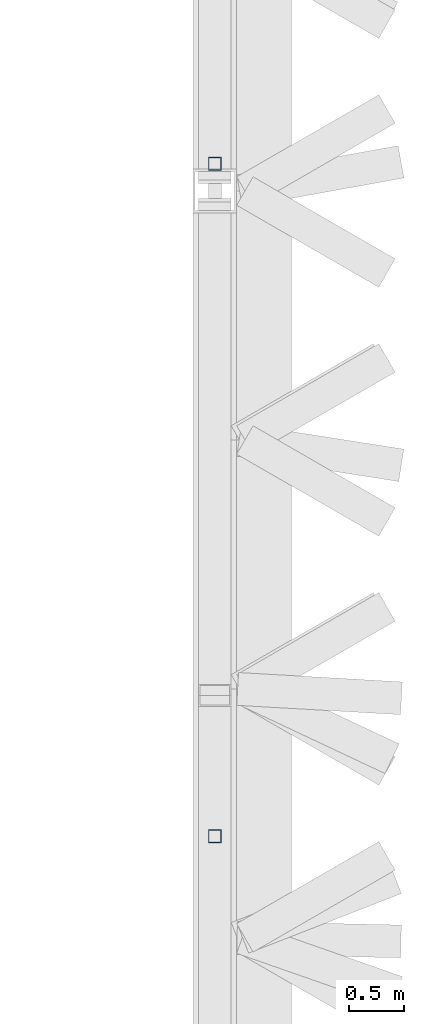
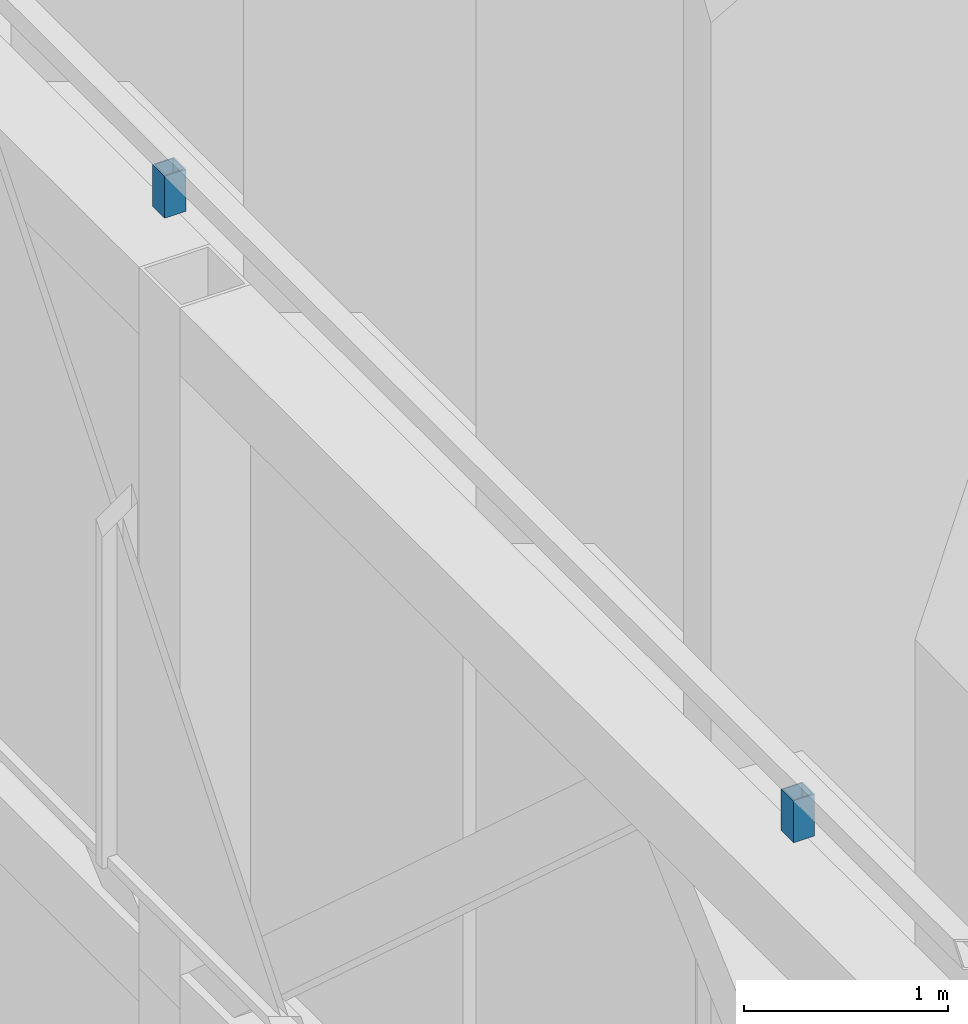
# One storey, part 21 of 45: 2 members.
"""IFC4 building model written with IfcOpenShell, lengths in metres."""

import ifcopenshell
import ifcopenshell.guid

model = None  # the IFC model being written
_history = None  # IfcOwnerHistory: only IFC2X3 demands one
_inside = {}  # id of a spatial element -> (the spatial element, [elements in it])
_under = {}  # id of a project, library or spatial element -> (it, [spatial elements below it])
_declared = {}  # id of a project -> (the project, [libraries it declares])
_typed = {}  # id of a type object -> (the type object, [elements of that type])
_made_of = {}  # id of a material, layer set ... -> (it, [elements and type objects made of it])


def new_model(schema):
    """Start an empty IFC model of exactly this schema.

    Asked for "IFC4X3", IfcOpenShell would pick the latest addendum, in which some entities
    have other attributes; the version numbers below select the first issue.
    IFC2X3 requires an IfcOwnerHistory on every rooted entity: one is made here for all.
    """
    global model, _history
    if schema == "IFC4X3":
        model = ifcopenshell.file(schema_version=(4, 3, 0, 0))
    else:
        model = ifcopenshell.file(schema=schema)
    _inside.clear()
    _under.clear()
    _declared.clear()
    _typed.clear()
    _made_of.clear()
    _history = None
    if model.schema == "IFC2X3":
        org = make("IfcOrganization", Name="unknown")
        user = make(
            "IfcPersonAndOrganization",
            ThePerson=make("IfcPerson", FamilyName="unknown"),
            TheOrganization=org,
        )
        app = make(
            "IfcApplication",
            ApplicationDeveloper=org,
            Version="unknown",
            ApplicationFullName="unknown",
            ApplicationIdentifier="unknown",
        )
        _history = make(
            "IfcOwnerHistory",
            OwningUser=user,
            OwningApplication=app,
            ChangeAction="ADDED",
            CreationDate=0,
        )
    return model


def make(cls, **values):
    """One entity of the class cls with the attributes given. An attribute that is None is left unset."""
    return model.create_entity(
        cls, **{name: value for name, value in values.items() if value is not None}
    )


def rooted(cls, **values):
    """An entity with a GlobalId (a new one), such as an element, a storey or a relation."""
    return make(cls, GlobalId=ifcopenshell.guid.new(), OwnerHistory=_history, **values)


def si_unit(unit_type, name, prefix=None):
    """IfcSIUnit, for example si_unit("LENGTHUNIT", "METRE", prefix="MILLI")."""
    return make("IfcSIUnit", UnitType=unit_type, Prefix=prefix, Name=name)


def assignment(units):
    """IfcUnitAssignment: the units of a project."""
    return None if units is None else make("IfcUnitAssignment", Units=units)


def point(xyz):
    """IfcCartesianPoint."""
    return None if xyz is None else make("IfcCartesianPoint", Coordinates=xyz)


def direction(xyz):
    """IfcDirection."""
    return None if xyz is None else make("IfcDirection", DirectionRatios=xyz)


def frame(location, z_axis=None, x_axis=None):
    """IfcAxis2Placement3D, a coordinate frame: its origin and axes. An axis left out is left unset."""
    return make(
        "IfcAxis2Placement3D",
        Location=point(location),
        Axis=direction(z_axis),
        RefDirection=direction(x_axis),
    )


def frame_2d(location, x_axis=None):
    """IfcAxis2Placement2D, a coordinate frame in the plane: its origin and x axis."""
    return make(
        "IfcAxis2Placement2D", Location=point(location), RefDirection=direction(x_axis)
    )


def origin():
    """The frame at (0, 0, 0) with its axes left unset."""
    return frame((0.0, 0.0, 0.0))


def origin_2d():
    """The frame at (0, 0) in the plane with its x axis left unset."""
    return frame_2d((0.0, 0.0))


def place(relative_to, where):
    """IfcLocalPlacement: puts the frame where relative to a parent placement (None: the world)."""
    return make(
        "IfcLocalPlacement", PlacementRelTo=relative_to, RelativePlacement=where
    )


def context(
    kind, dimensions, precision=None, world=None, true_north=None, identifier=None
):
    """IfcGeometricRepresentationContext, for example the 3D "Model" context."""
    return make(
        "IfcGeometricRepresentationContext",
        ContextIdentifier=identifier,
        ContextType=kind,
        CoordinateSpaceDimension=dimensions,
        Precision=precision,
        WorldCoordinateSystem=world,
        TrueNorth=true_north,
    )


def subcontext(parent, identifier, kind, view, scale=None):
    """IfcGeometricRepresentationSubContext, for example "Body" below "Model"."""
    return make(
        "IfcGeometricRepresentationSubContext",
        ContextIdentifier=identifier,
        ContextType=kind,
        ParentContext=parent,
        TargetScale=scale,
        TargetView=view,
    )


def project(units=None, contexts=None):
    """IfcProject with its units and contexts."""
    return rooted(
        "IfcProject",
        Name="project",
        RepresentationContexts=contexts,
        UnitsInContext=assignment(units),
    )


def spatial(cls, under=None, at=None, **own):
    """A site, building, storey or space (cls), placed at a placement, below another one or the project."""
    s = rooted(cls, ObjectPlacement=at, **own)
    if under is not None:
        _under.setdefault(under.id(), (under, []))[1].append(s)
    return s


def profile(cls, at=None, kind="AREA", **sizes):
    """A parametric profile (cls). Its sizes go by their IFC names, for example OverallWidth=200.0."""
    return make(cls, ProfileType=kind, Position=at, **sizes)


def hollow_rectangle(**sizes):
    """IfcRectangleHollowProfileDef."""
    return profile("IfcRectangleHollowProfileDef", **sizes)


def extrude(swept, where, along, depth):
    """IfcExtrudedAreaSolid: the profile swept, set in the frame where, extruded along a direction by depth."""
    return make(
        "IfcExtrudedAreaSolid",
        SweptArea=swept,
        Position=where,
        ExtrudedDirection=direction(along),
        Depth=depth,
    )


def shape(context_of_items, identifier, shape_type, items):
    """IfcShapeRepresentation: the items that make up one representation, for example the "Body"."""
    return make(
        "IfcShapeRepresentation",
        ContextOfItems=context_of_items,
        RepresentationIdentifier=identifier,
        RepresentationType=shape_type,
        Items=items,
    )


def material(Name=None, Category=None):
    """IfcMaterial."""
    return make("IfcMaterial", Name=Name, Category=Category)


def material_profile(
    of_material, cross_section, Name=None, Category=None, Priority=None
):
    """IfcMaterialProfile: a cross section and its material."""
    return make(
        "IfcMaterialProfile",
        Name=Name,
        Material=of_material,
        Profile=cross_section,
        Priority=Priority,
        Category=Category,
    )


def profile_set(profiles, Name=None, composite=None):
    """IfcMaterialProfileSet."""
    return make(
        "IfcMaterialProfileSet",
        Name=Name,
        MaterialProfiles=profiles,
        CompositeProfile=composite,
    )


def made_of(thing, what):
    """Note that an element or type object is made of a material, layer set ...; save() writes the relation."""
    if what is not None:
        _made_of.setdefault(what.id(), (what, []))[1].append(thing)
    return thing


def type_object(cls, material=None, **own):
    """A type object (cls), such as IfcWallType, which elements share."""
    return made_of(rooted(cls, **own), material)


def element(
    cls,
    number,
    at=None,
    inside=None,
    cuts=None,
    type_object=None,
    material=None,
    context=None,
    identifier="Body",
    shape_type=None,
    held_by="IfcProductDefinitionShape",
    body=None,
    shapes=None,
    **own,
):
    """One element of the class cls, such as IfcWall. Its Tag is "e" and its number.

    at: its placement. inside: the storey or other place that contains it. cuts: it is an
    opening in that element (IfcRelVoidsElement). A single representation is given by context,
    identifier, shape_type and body (its items); several are given by shapes. held_by: the class
    of the entity that holds the representations. save() writes the other relations.
    """
    e = rooted(cls, Tag="e%d" % number, ObjectPlacement=at, **own)
    if body is not None:
        shapes = [shape(context, identifier, shape_type, body)]
    if shapes is not None:
        e.Representation = make(held_by, Representations=shapes)
    if inside is not None:
        _inside.setdefault(inside.id(), (inside, []))[1].append(e)
    if cuts is not None:
        rooted(
            "IfcRelVoidsElement", RelatingBuildingElement=cuts, RelatedOpeningElement=e
        )
    if type_object is not None:
        _typed.setdefault(type_object.id(), (type_object, []))[1].append(e)
    return made_of(e, material)


def aggregate(whole, parts):
    """IfcRelAggregates: a whole, such as a stair, and the parts it consists of."""
    return rooted("IfcRelAggregates", RelatingObject=whole, RelatedObjects=parts)


def save(model, path):
    """Write the relations noted so far, then the file.

    IfcRelAggregates (storeys below a building ...), IfcRelContainedInSpatialStructure (elements
    in a storey), IfcRelDefinesByType, IfcRelAssociatesMaterial and IfcRelDeclares: one each for
    every whole, place, type object, material and project.
    """
    for whole, parts in _under.values():
        aggregate(whole, parts)
    for where, things in _inside.values():
        rooted(
            "IfcRelContainedInSpatialStructure",
            RelatedElements=things,
            RelatingStructure=where,
        )
    for kind, things in _typed.values():
        rooted("IfcRelDefinesByType", RelatedObjects=things, RelatingType=kind)
    for what, things in _made_of.values():
        rooted("IfcRelAssociatesMaterial", RelatedObjects=things, RelatingMaterial=what)
    for by, libraries in _declared.values():
        rooted("IfcRelDeclares", RelatingContext=by, RelatedDefinitions=libraries)
    model.write(path)


model = new_model("IFC4")

# Units and contexts
model_context = context("Model", 3, precision=1e-05, world=origin(), true_north=direction((0.0, 1.0)))
body_context = subcontext(model_context, "Body", "Model", "MODEL_VIEW")
ifc_project = project(units=[si_unit("LENGTHUNIT", "METRE"), si_unit("AREAUNIT", "SQUARE_METRE"), si_unit("VOLUMEUNIT", "CUBIC_METRE"), si_unit("PLANEANGLEUNIT", "RADIAN"), si_unit("MASSUNIT", "GRAM", prefix="KILO")], contexts=[model_context])

# Site, building, storey
site_placement = place(None, origin())
site = spatial("IfcSite", under=ifc_project, at=site_placement, CompositionType="ELEMENT")
building_placement = place(site_placement, origin())
building = spatial("IfcBuilding", under=site, at=building_placement, Name="Jabali Bay Hotel Tower and Convention Centre", CompositionType="ELEMENT")
storey_placement = place(building_placement, frame((0.0, 0.0, 322.39990234375)))
storey = spatial("IfcBuildingStorey", under=building, at=storey_placement, Name="Crown", CompositionType="ELEMENT", Elevation=322.39990234375)

# Members
ifc_material = material(Name="Steel Q355B", Category="steel")
ifc_material_profile = material_profile(ifc_material, hollow_rectangle(XDim=0.1201171875, YDim=0.1201171875, WallThickness=0.008056640625, at=origin_2d()), Name="BMU rail post")
ifc_profile_set = profile_set([ifc_material_profile], Name="Steel Q355B")
member_type = type_object("IfcMemberType", Name="BMU rail post", PredefinedType="USERDEFINED", material=ifc_profile_set)
for number, where, z_axis, x_axis, name in (
    (1, (93.148681640625, 74.099609375, 28.35009765625), (0.0, 0.0, 1.0), (1.0, 0.0, 0.0), "BMU rail post 1.4"),
    (2, (93.148681640625, 80.25, 28.35009765625), (0.0, 0.0, 1.0), (1.0, 0.0, 0.0), "BMU rail post 1.5"),
):
    element("IfcMember", number, at=place(storey_placement, frame(where, z_axis=z_axis, x_axis=x_axis)), inside=storey, type_object=member_type, Name=name, ObjectType="BMU RAIL", PredefinedType="USERDEFINED", context=body_context, shape_type="SweptSolid", body=[
        extrude(hollow_rectangle(XDim=0.1201171875, YDim=0.1201171875, WallThickness=0.008056640625, at=origin_2d()), origin(), (0.0, 0.0, 1.0), 0.25),
    ])

save(model, "model.ifc")
